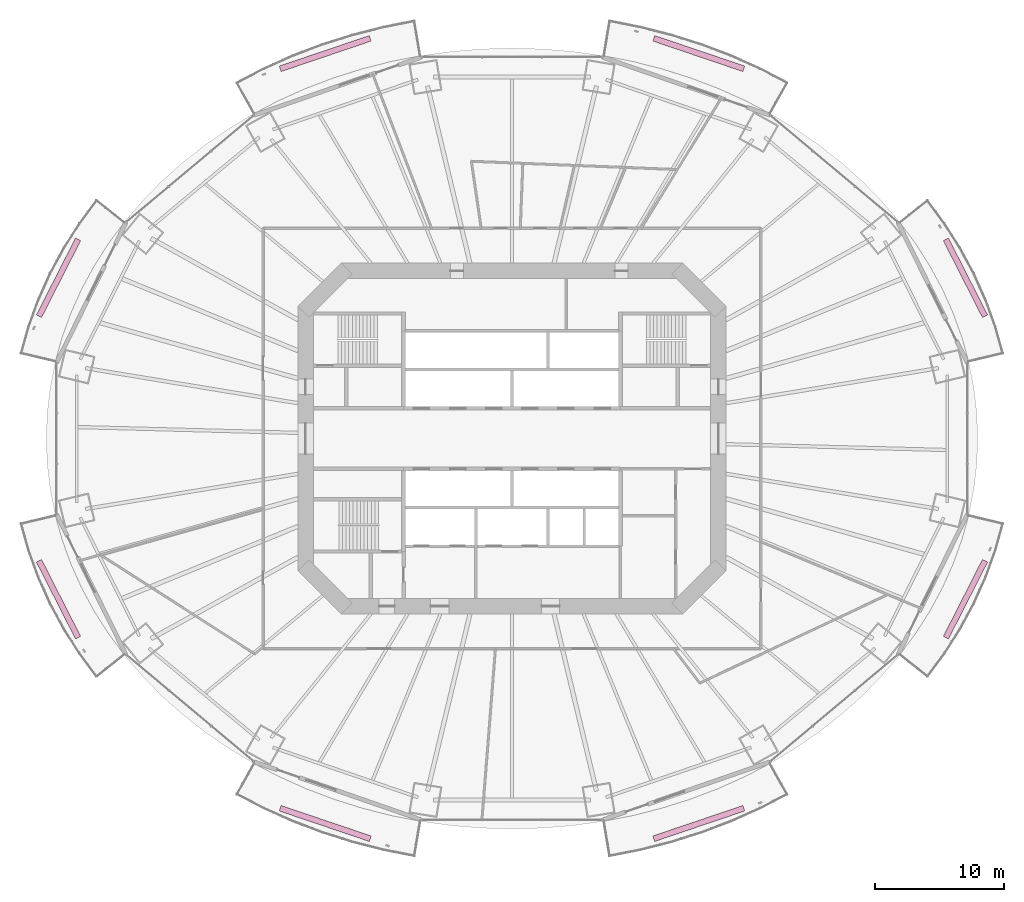
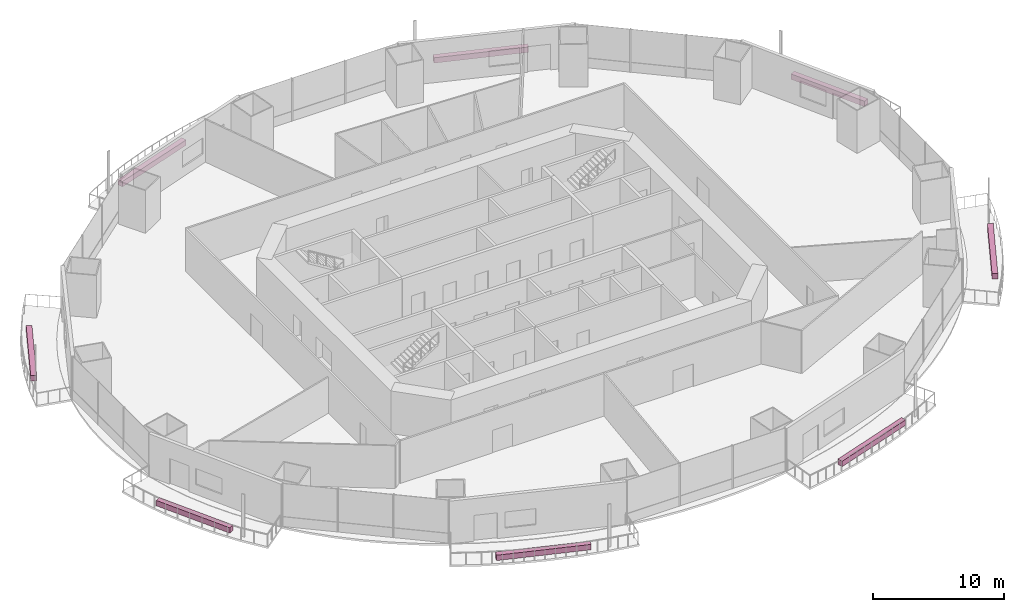
# One storey, part 23 of 23: 8 furnishings.
"""IFC4 building model written with IfcOpenShell, lengths in metres."""

from ifc_helpers import new_model, si_unit, direction, frame, origin, origin_2d, place, context, subcontext, project, spatial, rectangle, extrude, material, type_object, element, save


model = new_model("IFC4")

# Units and contexts
model_context = context("Model", 3, precision=1e-05, world=origin(), true_north=direction((0.0, 1.0)))
body_context = subcontext(model_context, "Body", "Model", "MODEL_VIEW")
ifc_project = project(units=[si_unit("LENGTHUNIT", "METRE"), si_unit("AREAUNIT", "SQUARE_METRE"), si_unit("VOLUMEUNIT", "CUBIC_METRE"), si_unit("PLANEANGLEUNIT", "RADIAN"), si_unit("MASSUNIT", "GRAM", prefix="KILO")], contexts=[model_context])

# Site, building, storey
site_placement = place(None, origin())
site = spatial("IfcSite", under=ifc_project, at=site_placement, CompositionType="ELEMENT")
building_placement = place(site_placement, origin())
building = spatial("IfcBuilding", under=site, at=building_placement, Name="Marenthal Gate Tower", CompositionType="ELEMENT")
storey_placement = place(building_placement, frame((0.0, 0.0, 57.89990234375)))
storey = spatial("IfcBuildingStorey", under=building, at=storey_placement, Name="L10", CompositionType="ELEMENT", Elevation=57.89990234375)

# Furnishings
ifc_material = material(Name="Planting soil and foliage", Category="planting")
furnishing_element_type = type_object("IfcFurnishingElementType", Name="Balcony PLANTER trough", material=ifc_material)
furnishing_1_placement = place(storey_placement, frame((35.15869140625, 12.458984375, -0.039794921875), z_axis=(0.0, 0.0, 1.0), x_axis=(-0.4535178521, 0.891247192325, 0.0)))
element("IfcFurnishingElement", 1, at=furnishing_1_placement, inside=storey, type_object=furnishing_element_type, Name="Balcony PLANTER L10 bay 1", ObjectType="PLANTER", context=body_context, shape_type="SweptSolid", body=[
    extrude(rectangle(XDim=6.69677734375, YDim=0.449951171875, at=origin_2d()), origin(), (0.0, 0.0, 1.0), 0.5),
])
for number, where, z_axis, x_axis, name in (
    (2, (14.48095703125, 29.847412109375, -0.039794921875), (0.0, 0.0, 1.0), (-0.947280338964, 0.320405929116, 0.0), "Balcony PLANTER L10 bay 3"),
    (3, (-14.48095703125, 29.847412109375, -0.039794921875), (0.0, 0.0, 1.0), (-0.947280338964, -0.320405929116, 0.0), "Balcony PLANTER L10 bay 5"),
):
    element("IfcFurnishingElement", number, at=place(storey_placement, frame(where, z_axis=z_axis, x_axis=x_axis)), inside=storey, type_object=furnishing_element_type, Name=name, ObjectType="PLANTER", context=body_context, shape_type="SweptSolid", body=[
        extrude(rectangle(XDim=7.37158203125, YDim=0.449951171875, at=origin_2d()), origin(), (0.0, 0.0, 1.0), 0.5),
    ])
for number, where, z_axis, x_axis, name in (
    (4, (-35.15869140625, 12.458984375, -0.039794921875), (0.0, 0.0, 1.0), (-0.4535178521, -0.891247192325, 0.0), "Balcony PLANTER L10 bay 7"),
    (5, (-35.15869140625, -12.458984375, -0.039794921875), (0.0, 0.0, 1.0), (0.4535178521, -0.891247192325, 0.0), "Balcony PLANTER L10 bay 9"),
):
    element("IfcFurnishingElement", number, at=place(storey_placement, frame(where, z_axis=z_axis, x_axis=x_axis)), inside=storey, type_object=furnishing_element_type, Name=name, ObjectType="PLANTER", context=body_context, shape_type="SweptSolid", body=[
        extrude(rectangle(XDim=6.69677734375, YDim=0.449951171875, at=origin_2d()), origin(), (0.0, 0.0, 1.0), 0.5),
    ])
for number, where, z_axis, x_axis, name in (
    (6, (-14.48095703125, -29.847412109375, -0.039794921875), (0.0, 0.0, 1.0), (0.947280338964, -0.320405929116, 0.0), "Balcony PLANTER L10 bay 11"),
    (7, (14.48095703125, -29.847412109375, -0.039794921875), (0.0, 0.0, 1.0), (0.947280338964, 0.320405929116, 0.0), "Balcony PLANTER L10 bay 13"),
):
    element("IfcFurnishingElement", number, at=place(storey_placement, frame(where, z_axis=z_axis, x_axis=x_axis)), inside=storey, type_object=furnishing_element_type, Name=name, ObjectType="PLANTER", context=body_context, shape_type="SweptSolid", body=[
        extrude(rectangle(XDim=7.37158203125, YDim=0.449951171875, at=origin_2d()), origin(), (0.0, 0.0, 1.0), 0.5),
    ])
furnishing_2_placement = place(storey_placement, frame((35.15869140625, -12.458984375, -0.039794921875), z_axis=(0.0, 0.0, 1.0), x_axis=(0.4535178521, 0.891247192325, 0.0)))
element("IfcFurnishingElement", 8, at=furnishing_2_placement, inside=storey, type_object=furnishing_element_type, Name="Balcony PLANTER L10 bay 15", ObjectType="PLANTER", context=body_context, shape_type="SweptSolid", body=[
    extrude(rectangle(XDim=6.69677734375, YDim=0.449951171875, at=origin_2d()), origin(), (0.0, 0.0, 1.0), 0.5),
])

save(model, "model.ifc")
